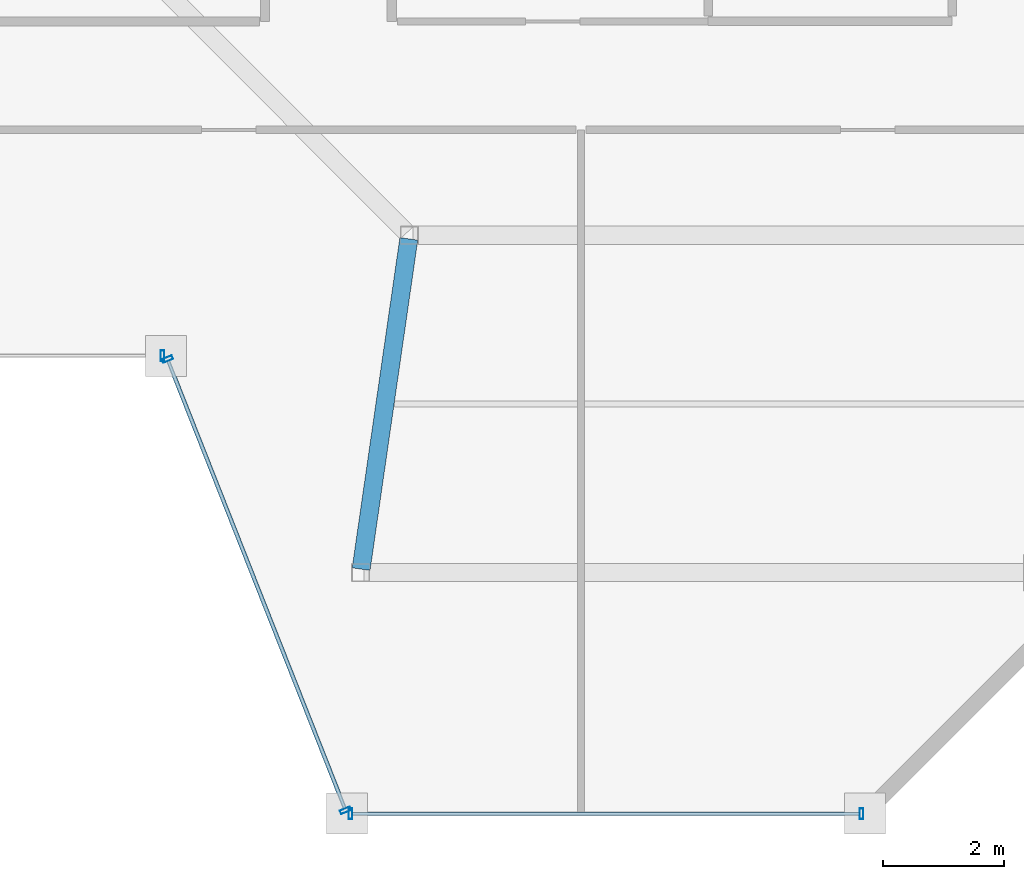
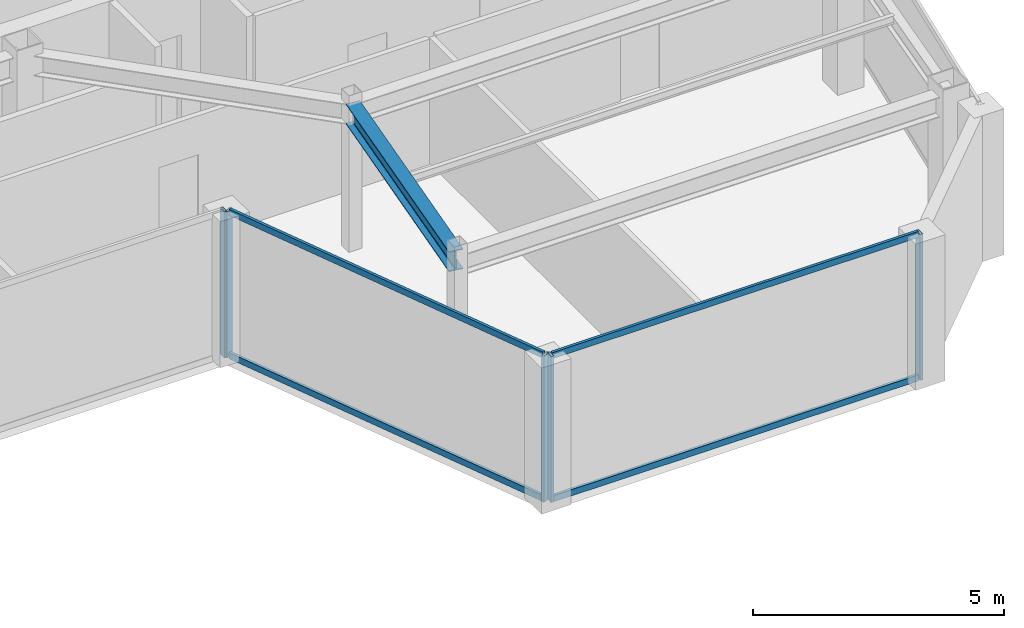
# One storey, part 11 of 22: 9 members, 1 beam, 3 elements without a shape of their own.
"""IFC4 building model written with IfcOpenShell, lengths in metres."""

from ifc_helpers import new_model, si_unit, direction, frame, origin, origin_2d, place, context, subcontext, project, spatial, hollow_rectangle, i_section, extrude, material, material_profile, profile_set, type_object, element, aggregate, save


model = new_model("IFC4")

# Units and contexts
model_context = context("Model", 3, precision=1e-05, world=origin(), true_north=direction((0.0, 1.0)))
body_context = subcontext(model_context, "Body", "Model", "MODEL_VIEW")
ifc_project = project(units=[si_unit("LENGTHUNIT", "METRE"), si_unit("AREAUNIT", "SQUARE_METRE"), si_unit("VOLUMEUNIT", "CUBIC_METRE"), si_unit("PLANEANGLEUNIT", "RADIAN"), si_unit("MASSUNIT", "GRAM", prefix="KILO")], contexts=[model_context])

# Site, building, storey
site_placement = place(None, origin())
site = spatial("IfcSite", under=ifc_project, at=site_placement, CompositionType="ELEMENT")
building_placement = place(site_placement, origin())
building = spatial("IfcBuilding", under=site, at=building_placement, Name="Saevonmaru Cultural Tower", CompositionType="ELEMENT")
storey_placement = place(building_placement, frame((0.0, 0.0, 287.60009765625)))
storey = spatial("IfcBuildingStorey", under=building, at=storey_placement, Name="L68", CompositionType="ELEMENT", Elevation=287.60009765625)

# Beam
ifc_material_1 = material(Name="Steel SM355", Category="steel")
ifc_material_profile_1 = material_profile(ifc_material_1, i_section(OverallWidth=0.300048828125, OverallDepth=0.488037109375, WebThickness=0.010986328125, FlangeThickness=0.01806640625, FilletRadius=0.02197265625, at=origin_2d()), Name="H-488x300x11x18")
ifc_profile_set_1 = profile_set([ifc_material_profile_1], Name="Steel SM355")
beam_type = type_object("IfcBeamType", Name="BM-G-H488", PredefinedType="BEAM", material=ifc_profile_set_1)
beam_placement = place(storey_placement, frame((40.3916015625, 32.059326171875, 3.305908203125), z_axis=(0.142964121327, 0.989727871697, 0.0), x_axis=(-0.989727871697, 0.142964121327, 0.0)))
element("IfcBeam", 1, at=beam_placement, inside=storey, type_object=beam_type, Name="L68 East Atrium Girder 1", PredefinedType="BEAM", context=body_context, shape_type="SweptSolid", body=[
    extrude(i_section(OverallWidth=0.300048828125, OverallDepth=0.488037109375, WebThickness=0.010986328125, FlangeThickness=0.01806640625, FilletRadius=0.02197265625, at=origin_2d()), origin(), (0.0, 0.0, 1.0), 5.5380859375),
])

# Curtain wall, member
ifc_material_2 = material(Name="Satin Bronze Anodised Aluminium", Category="aluminium")
curtain_wall_type = type_object("IfcCurtainWallType", Name="CW-TYP-B", PredefinedType="NOTDEFINED", material=ifc_material_2)
curtain_wall_1_placement = place(storey_placement, origin())
curtain_wall_1 = element("IfcCurtainWall", 2, at=curtain_wall_1_placement, inside=storey, type_object=curtain_wall_type, Name="L68 Unitised Curtain Wall E4", PredefinedType="NOTDEFINED")
ifc_material_profile_2 = material_profile(ifc_material_2, hollow_rectangle(XDim=0.06494140625, YDim=0.179931640625, WallThickness=0.00390625, at=origin_2d()), Name="ALU-MULL-180x65x4")
ifc_profile_set_2 = profile_set([ifc_material_profile_2], Name="Satin Bronze Anodised Aluminium")
member_type_1 = type_object("IfcMemberType", Name="ML-CW-180x65", PredefinedType="MULLION", material=ifc_profile_set_2)
member_1_placement = place(storey_placement, frame((37.095703125, 35.60009765625, 0.0), z_axis=(0.0, 0.0, 1.0), x_axis=(1.0, 0.0, 0.0)))
member_1 = element("IfcMember", 3, at=member_1_placement, type_object=member_type_1, Name="CW-TW-L68-E4 mullion 2", PredefinedType="MULLION", context=body_context, shape_type="SweptSolid", body=[
    extrude(hollow_rectangle(XDim=0.06494140625, YDim=0.179931640625, WallThickness=0.00390625, at=origin_2d()), origin(), (0.0, 0.0, 1.0), 3.5498046875),
])
aggregate(curtain_wall_1, [member_1])

# Curtain wall, members
curtain_wall_2_placement = place(storey_placement, origin())
curtain_wall_2 = element("IfcCurtainWall", 4, at=curtain_wall_2_placement, inside=storey, type_object=curtain_wall_type, Name="L68 Unitised Curtain Wall E5", PredefinedType="NOTDEFINED")
member_2_placement = place(storey_placement, frame((37.177490234375, 35.544189453125, 0.0), z_axis=(0.0, 0.0, 1.0), x_axis=(0.367172185578, -0.930152990716, 0.0)))
member_2 = element("IfcMember", 5, at=member_2_placement, type_object=member_type_1, Name="CW-TW-L68-E5 mullion 1", PredefinedType="MULLION", context=body_context, shape_type="SweptSolid", body=[
    extrude(hollow_rectangle(XDim=0.06494140625, YDim=0.179931640625, WallThickness=0.00390625, at=origin_2d()), origin(), (0.0, 0.0, 1.0), 3.5498046875),
])
member_3_placement = place(storey_placement, frame((40.133544921875, 28.055908203125, 0.0), z_axis=(0.0, 0.0, 1.0), x_axis=(0.367172185578, -0.930152990716, 0.0)))
member_3 = element("IfcMember", 6, at=member_3_placement, type_object=member_type_1, Name="CW-TW-L68-E5 mullion 2", PredefinedType="MULLION", context=body_context, shape_type="SweptSolid", body=[
    extrude(hollow_rectangle(XDim=0.06494140625, YDim=0.179931640625, WallThickness=0.00390625, at=origin_2d()), origin(), (0.0, 0.0, 1.0), 3.5498046875),
])

curtain_wall_3_placement = place(storey_placement, origin())
curtain_wall_3 = element("IfcCurtainWall", 7, at=curtain_wall_3_placement, inside=storey, type_object=curtain_wall_type, Name="L68 Unitised Curtain Wall E6", PredefinedType="NOTDEFINED")
member_4_placement = place(storey_placement, frame((40.215576171875, 28.0, 0.0), z_axis=(0.0, 0.0, 1.0), x_axis=(1.0, 0.0, 0.0)))
member_4 = element("IfcMember", 8, at=member_4_placement, type_object=member_type_1, Name="CW-TW-L68-E6 mullion 1", PredefinedType="MULLION", context=body_context, shape_type="SweptSolid", body=[
    extrude(hollow_rectangle(XDim=0.06494140625, YDim=0.179931640625, WallThickness=0.00390625, at=origin_2d()), origin(), (0.0, 0.0, 1.0), 3.5498046875),
])
member_5_placement = place(storey_placement, frame((48.695556640625, 28.0, 0.0), z_axis=(0.0, 0.0, 1.0), x_axis=(1.0, 0.0, 0.0)))
member_5 = element("IfcMember", 9, at=member_5_placement, type_object=member_type_1, Name="CW-TW-L68-E6 mullion 2", PredefinedType="MULLION", context=body_context, shape_type="SweptSolid", body=[
    extrude(hollow_rectangle(XDim=0.06494140625, YDim=0.179931640625, WallThickness=0.00390625, at=origin_2d()), origin(), (0.0, 0.0, 1.0), 3.5498046875),
])

# Member
ifc_material_profile_3 = material_profile(ifc_material_2, hollow_rectangle(XDim=0.06494140625, YDim=0.14990234375, WallThickness=0.00390625, at=origin_2d()), Name="ALU-TRAN-150x65x4")
ifc_profile_set_3 = profile_set([ifc_material_profile_3], Name="Satin Bronze Anodised Aluminium")
member_type_2 = type_object("IfcMemberType", Name="TR-CW-150x65", PredefinedType="USERDEFINED", material=ifc_profile_set_3)
member_6_placement = place(storey_placement, frame((37.189453125, 35.513916015625, 0.032470703125), z_axis=(0.367170015072, -0.930153847507, 0.0), x_axis=(0.930153847507, 0.367170015072, 0.0)))
member_6 = element("IfcMember", 10, at=member_6_placement, type_object=member_type_2, Name="CW-TW-L68-E5 transom 1.1", ObjectType="TRANSOM", PredefinedType="USERDEFINED", context=body_context, shape_type="SweptSolid", body=[
    extrude(hollow_rectangle(XDim=0.06494140625, YDim=0.14990234375, WallThickness=0.00390625, at=origin_2d()), origin(), (0.0, 0.0, 1.0), 7.98583984375),
])

member_7_placement = place(storey_placement, frame((37.189453125, 35.513916015625, 3.517333984375), z_axis=(0.367170015072, -0.930153847507, 0.0), x_axis=(0.930153847507, 0.367170015072, 0.0)))
member_7 = element("IfcMember", 11, at=member_7_placement, type_object=member_type_2, Name="CW-TW-L68-E5 transom 1.2", ObjectType="TRANSOM", PredefinedType="USERDEFINED", context=body_context, shape_type="SweptSolid", body=[
    extrude(hollow_rectangle(XDim=0.06494140625, YDim=0.14990234375, WallThickness=0.00390625, at=origin_2d()), origin(), (0.0, 0.0, 1.0), 7.98583984375),
])

aggregate(curtain_wall_2, [member_2, member_3, member_6, member_7])

member_8_placement = place(storey_placement, frame((40.248046875, 28.0, 0.032470703125), z_axis=(1.0, 0.0, 0.0), x_axis=(0.0, 1.0, 0.0)))
member_8 = element("IfcMember", 12, at=member_8_placement, type_object=member_type_2, Name="CW-TW-L68-E6 transom 1.1", ObjectType="TRANSOM", PredefinedType="USERDEFINED", context=body_context, shape_type="SweptSolid", body=[
    extrude(hollow_rectangle(XDim=0.06494140625, YDim=0.14990234375, WallThickness=0.00390625, at=origin_2d()), origin(), (0.0, 0.0, 1.0), 8.4150390625),
])

member_9_placement = place(storey_placement, frame((40.248046875, 28.0, 3.517333984375), z_axis=(1.0, 0.0, 0.0), x_axis=(0.0, 1.0, 0.0)))
member_9 = element("IfcMember", 13, at=member_9_placement, type_object=member_type_2, Name="CW-TW-L68-E6 transom 1.2", ObjectType="TRANSOM", PredefinedType="USERDEFINED", context=body_context, shape_type="SweptSolid", body=[
    extrude(hollow_rectangle(XDim=0.06494140625, YDim=0.14990234375, WallThickness=0.00390625, at=origin_2d()), origin(), (0.0, 0.0, 1.0), 8.4150390625),
])

aggregate(curtain_wall_3, [member_4, member_5, member_8, member_9])

save(model, "model.ifc")
